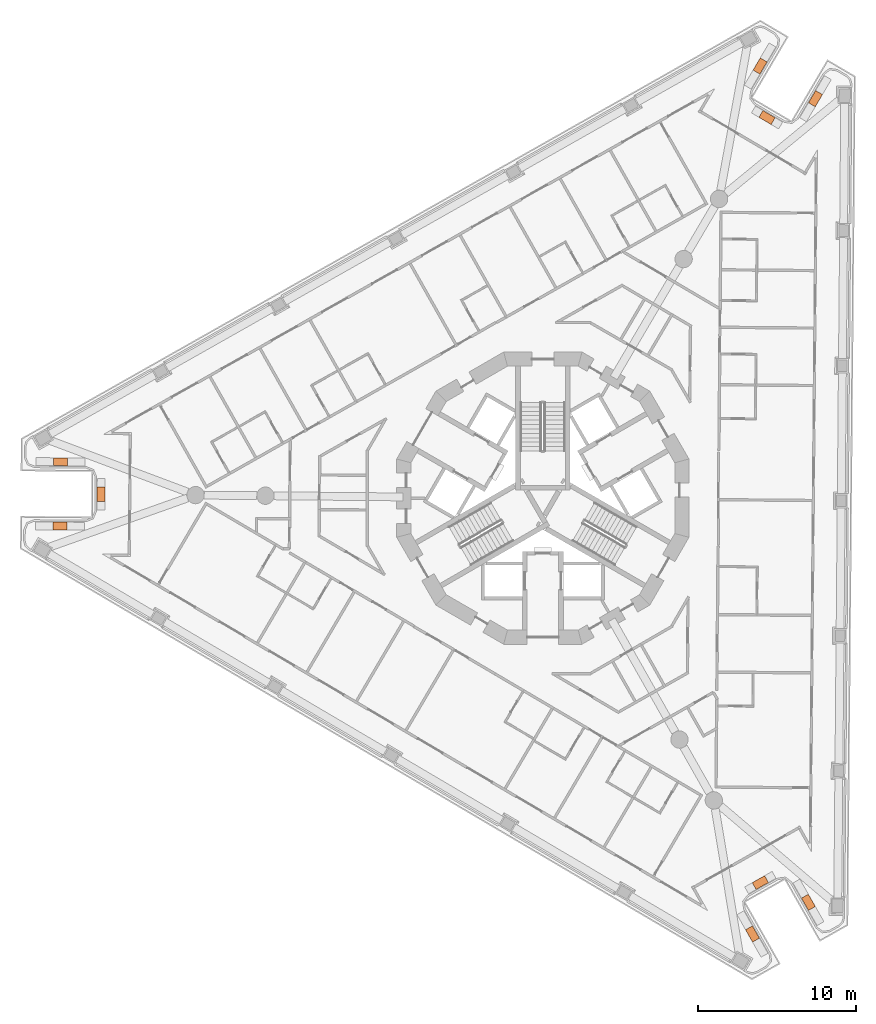
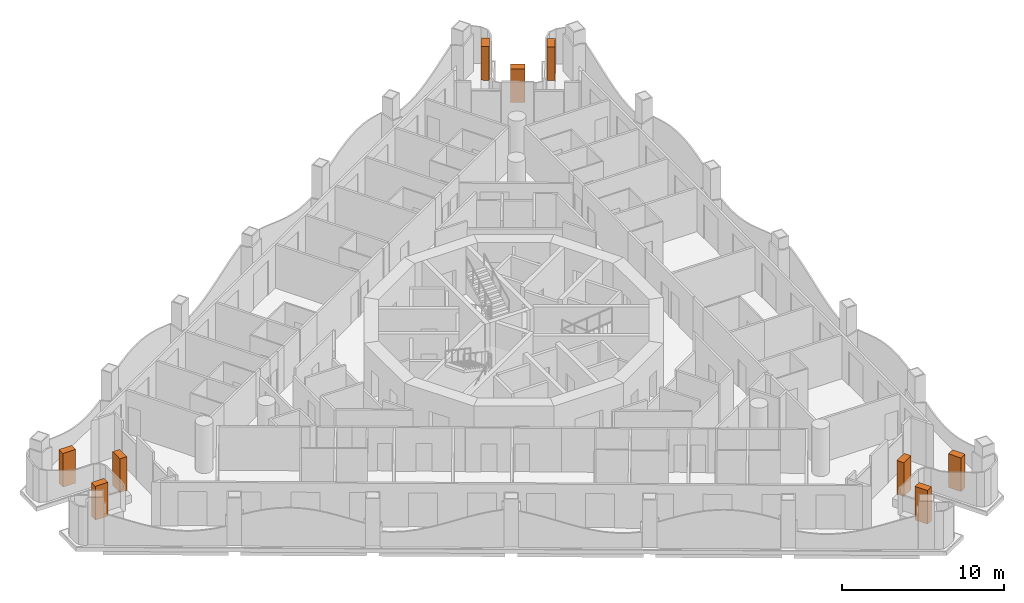
# One storey, part 18 of 18: 9 geographic elements.
"""IFC4 building model written with IfcOpenShell, lengths in metres."""

from ifc_helpers import new_model, si_unit, direction, frame, origin, origin_2d, place, context, subcontext, project, spatial, rectangle, extrude, element, save


model = new_model("IFC4")

# Units and contexts
model_context = context("Model", 3, precision=1e-05, world=origin(), true_north=direction((0.0, 1.0)))
body_context = subcontext(model_context, "Body", "Model", "MODEL_VIEW")
ifc_project = project(units=[si_unit("LENGTHUNIT", "METRE"), si_unit("AREAUNIT", "SQUARE_METRE"), si_unit("VOLUMEUNIT", "CUBIC_METRE"), si_unit("PLANEANGLEUNIT", "RADIAN"), si_unit("MASSUNIT", "GRAM", prefix="KILO")], contexts=[model_context])

# Site, building, storey
site_placement = place(None, origin())
site = spatial("IfcSite", under=ifc_project, at=site_placement, CompositionType="ELEMENT")
building_placement = place(site_placement, origin())
building = spatial("IfcBuilding", under=site, at=building_placement, Name="Trine Commons Tower", CompositionType="ELEMENT")
storey_placement = place(building_placement, frame((0.0, 0.0, 171.89990234375)))
storey = spatial("IfcBuildingStorey", under=building, at=storey_placement, Name="L44", CompositionType="ELEMENT", Elevation=171.89990234375)

# Geographic elements
for number, where, z_axis, x_axis, name in (
    (1, (49.3583984375, 60.727294921875, 0.60009765625), (0.0, 0.0, 1.0), (0.999961923064, -0.008726535498, 0.0), "Tree 1.1"),
    (2, (51.966064453125, 62.74462890625, 0.60009765625), (0.0, 0.0, 1.0), (0.008726535498, 0.999961923064, 0.0), "Tree 2.1"),
    (3, (49.393798828125, 64.80712890625, 0.60009765625), (0.0, 0.0, 1.0), (-0.999961923064, 0.008726535498, 0.0), "Tree 3.1"),
    (4, (93.78564453125, 89.9228515625, 0.60009765625), (0.0, 0.0, 1.0), (-0.507539866787, -0.861628274619, 0.0), "Tree 4.1"),
    (5, (94.228759765625, 86.65576171875, 0.60009765625), (0.0, 0.0, 1.0), (0.861628274619, -0.507539866787, 0.0), "Tree 5.1"),
    (6, (97.301025390625, 87.85205078125, 0.60009765625), (0.0, 0.0, 1.0), (0.507539866787, 0.861628274619, 0.0), "Tree 6.1"),
    (7, (96.85595703125, 36.849853515625, 0.60009765625), (0.0, 0.0, 1.0), (-0.492420521986, 0.870357414817, 0.0), "Tree 7.1"),
    (8, (93.80517578125, 38.099609375, 0.60009765625), (0.0, 0.0, 1.0), (-0.870333349571, -0.492463055085, 0.0), "Tree 8.1"),
    (9, (93.304931640625, 34.8408203125, 0.60009765625), (0.0, 0.0, 1.0), (0.492420521986, -0.870357414817, 0.0), "Tree 9.1"),
):
    element("IfcGeographicElement", number, at=place(storey_placement, frame(where, z_axis=z_axis, x_axis=x_axis)), inside=storey, Name=name, ObjectType="TREE Tabebuia rosea", PredefinedType="USERDEFINED", context=body_context, shape_type="SweptSolid", body=[
        extrude(rectangle(XDim=0.89990234375, YDim=0.5, at=origin_2d()), origin(), (0.0, 0.0, 1.0), 2.550048828125),
    ])

save(model, "model.ifc")
